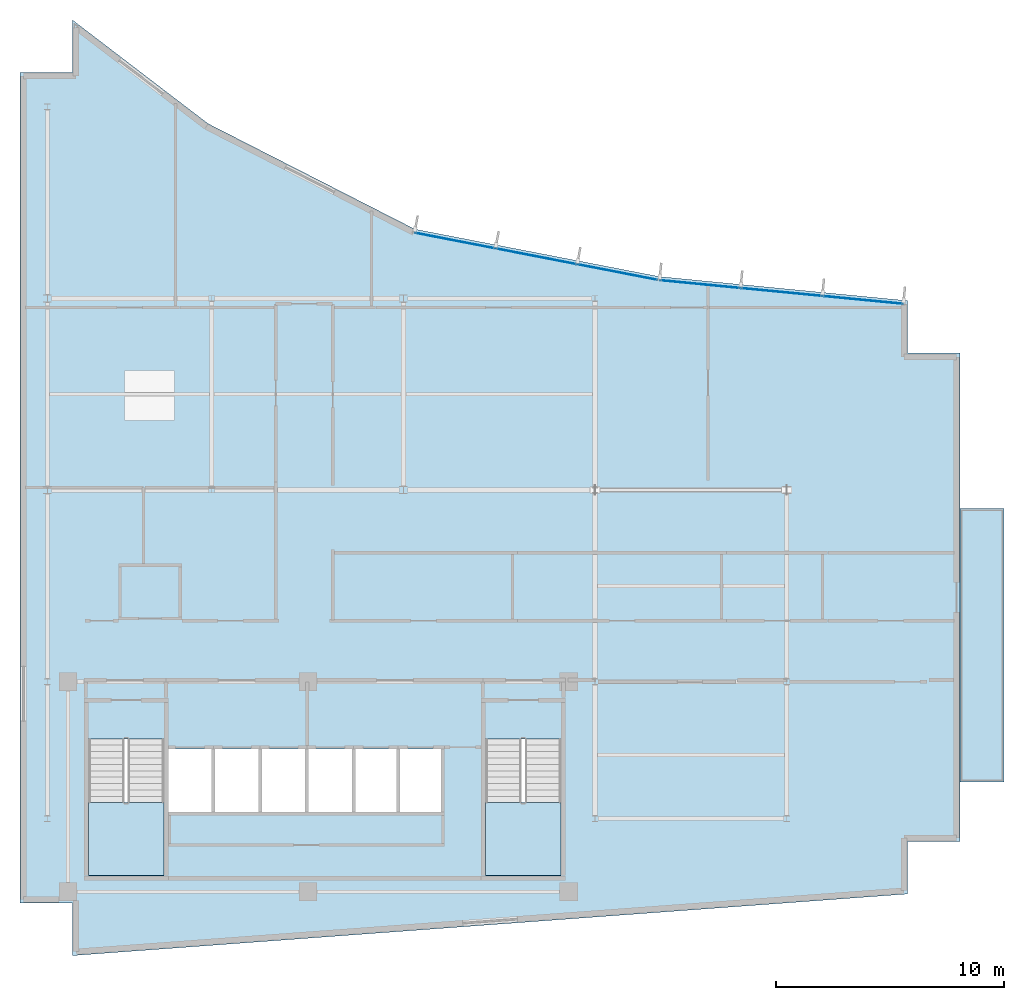
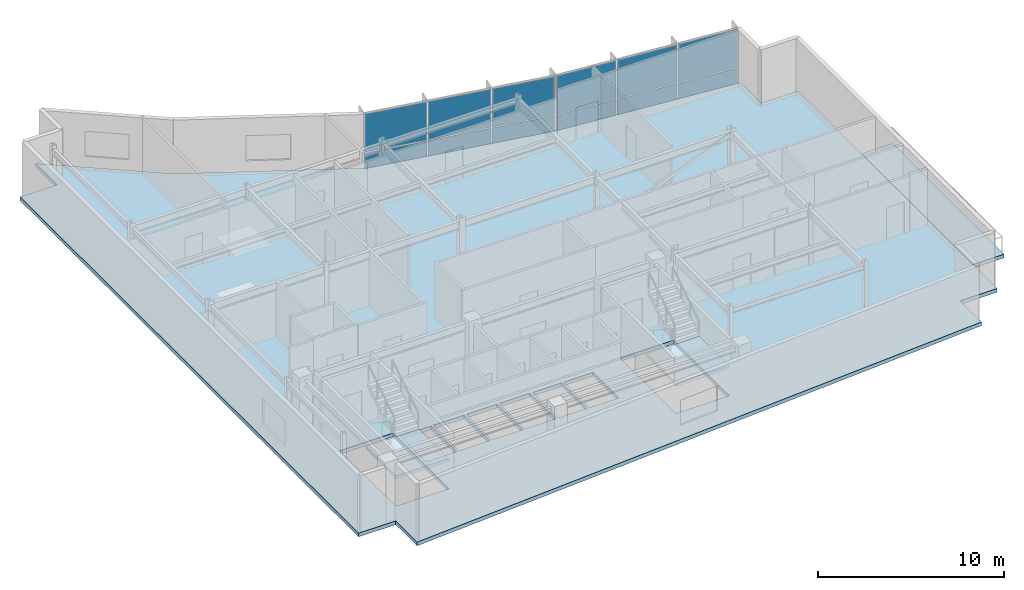
# One storey, part 9 of 16: 12 plates, 4 slabs, 4 elements without a shape of their own.
"""IFC4 building model written with IfcOpenShell, lengths in metres."""

from ifc_helpers import new_model, si_unit, direction, frame, origin, origin_2d, place, context, subcontext, project, spatial, polyline, rectangle, outline, extrude, material, layer, layer_set, type_object, element, aggregate, save


model = new_model("IFC4")

# Units and contexts
model_context = context("Model", 3, precision=1e-05, world=origin(), true_north=direction((0.0, 1.0)))
body_context = subcontext(model_context, "Body", "Model", "MODEL_VIEW")
ifc_project = project(units=[si_unit("LENGTHUNIT", "METRE"), si_unit("AREAUNIT", "SQUARE_METRE"), si_unit("VOLUMEUNIT", "CUBIC_METRE"), si_unit("PLANEANGLEUNIT", "RADIAN"), si_unit("MASSUNIT", "GRAM", prefix="KILO")], contexts=[model_context])

# Site, building, storey
site_placement = place(None, origin())
site = spatial("IfcSite", under=ifc_project, at=site_placement, CompositionType="ELEMENT")
building_placement = place(site_placement, origin())
building = spatial("IfcBuilding", under=site, at=building_placement, Name="Varnakote Quay Hospital", CompositionType="ELEMENT")
storey_placement = place(building_placement, frame((0.0, 0.0, 272.35009765625)))
storey = spatial("IfcBuildingStorey", under=building, at=storey_placement, Name="L67", CompositionType="ELEMENT", Elevation=272.35009765625)

# Curtain wall, plates
ifc_material_1 = material(Name="Anodised aluminium 6063-T6 Bronze", Category="aluminium")
ifc_layer_1 = layer(ifc_material_1, 0.235107421875)
ifc_layer_set_1 = layer_set([ifc_layer_1], Name="Anodised aluminium 6063-T6 Bronze")
curtain_wall_type = type_object("IfcCurtainWallType", Name="CW-SYS-5", PredefinedType="NOTDEFINED", material=ifc_layer_set_1)
curtain_wall_1_placement = place(storey_placement, origin())
curtain_wall_1 = element("IfcCurtainWall", 1, at=curtain_wall_1_placement, inside=storey, type_object=curtain_wall_type, Name="L67 Unitised Bronze Curtain Wall 1", PredefinedType="NOTDEFINED")
ifc_material_2 = material(Name="Double-glazed low-E solar glass", Category="glass")
ifc_layer_2 = layer(ifc_material_2, 0.028076171875)
ifc_layer_set_2 = layer_set([ifc_layer_2], Name="Double-glazed low-E solar glass")
plate_type = type_object("IfcPlateType", Name="CW-PNL-GLZ-28", PredefinedType="CURTAIN_PANEL", material=ifc_layer_set_2)
plate_1_placement = place(storey_placement, frame((36.9326171875, 28.730224609375, 0.06494140625), z_axis=(0.0, 0.0, 1.0), x_axis=(-0.995326295192, 0.096568970683, 0.0)))
plate_1 = element("IfcPlate", 2, at=plate_1_placement, type_object=plate_type, Name="-5-L67-1 panel 1.1", PredefinedType="CURTAIN_PANEL", context=body_context, shape_type="SweptSolid", body=[
    extrude(rectangle(XDim=3.501708984375, YDim=0.028076171875, at=origin_2d()), origin(), (0.0, 0.0, 1.0), 1.00244140625),
])
plate_2_placement = place(storey_placement, frame((36.9326171875, 28.730224609375, 1.13232421875), z_axis=(0.0, 0.0, 1.0), x_axis=(-0.995326295192, 0.096568970683, 0.0)))
plate_2 = element("IfcPlate", 3, at=plate_2_placement, type_object=plate_type, Name="-5-L67-1 panel 1.2", PredefinedType="CURTAIN_PANEL", context=body_context, shape_type="SweptSolid", body=[
    extrude(rectangle(XDim=3.501708984375, YDim=0.028076171875, at=origin_2d()), origin(), (0.0, 0.0, 1.0), 2.512451171875),
])
plate_3_placement = place(storey_placement, frame((33.366455078125, 29.076171875, 0.06494140625), z_axis=(0.0, 0.0, 1.0), x_axis=(-0.995326295192, 0.096568970683, 0.0)))
plate_3 = element("IfcPlate", 4, at=plate_3_placement, type_object=plate_type, Name="-5-L67-1 panel 2.1", PredefinedType="CURTAIN_PANEL", context=body_context, shape_type="SweptSolid", body=[
    extrude(rectangle(XDim=3.5341796875, YDim=0.028076171875, at=origin_2d()), origin(), (0.0, 0.0, 1.0), 1.00244140625),
])
plate_4_placement = place(storey_placement, frame((33.366455078125, 29.076171875, 1.13232421875), z_axis=(0.0, 0.0, 1.0), x_axis=(-0.995326295192, 0.096568970683, 0.0)))
plate_4 = element("IfcPlate", 5, at=plate_4_placement, type_object=plate_type, Name="-5-L67-1 panel 2.2", PredefinedType="CURTAIN_PANEL", context=body_context, shape_type="SweptSolid", body=[
    extrude(rectangle(XDim=3.5341796875, YDim=0.028076171875, at=origin_2d()), origin(), (0.0, 0.0, 1.0), 2.512451171875),
])
plate_5_placement = place(storey_placement, frame((29.80029296875, 29.422119140625, 0.06494140625), z_axis=(0.0, 0.0, 1.0), x_axis=(-0.995326295192, 0.096568970683, 0.0)))
plate_5 = element("IfcPlate", 6, at=plate_5_placement, type_object=plate_type, Name="-5-L67-1 panel 3.1", PredefinedType="CURTAIN_PANEL", context=body_context, shape_type="SweptSolid", body=[
    extrude(rectangle(XDim=3.501708984375, YDim=0.028076171875, at=origin_2d()), origin(), (0.0, 0.0, 1.0), 1.00244140625),
])
plate_6_placement = place(storey_placement, frame((29.80029296875, 29.422119140625, 1.13232421875), z_axis=(0.0, 0.0, 1.0), x_axis=(-0.995326295192, 0.096568970683, 0.0)))
plate_6 = element("IfcPlate", 7, at=plate_6_placement, type_object=plate_type, Name="-5-L67-1 panel 3.2", PredefinedType="CURTAIN_PANEL", context=body_context, shape_type="SweptSolid", body=[
    extrude(rectangle(XDim=3.501708984375, YDim=0.028076171875, at=origin_2d()), origin(), (0.0, 0.0, 1.0), 2.512451171875),
])
aggregate(curtain_wall_1, [plate_1, plate_2, plate_3, plate_4, plate_5, plate_6])

curtain_wall_2_placement = place(storey_placement, origin())
curtain_wall_2 = element("IfcCurtainWall", 8, at=curtain_wall_2_placement, inside=storey, type_object=curtain_wall_type, Name="L67 Unitised Bronze Curtain Wall 2", PredefinedType="NOTDEFINED")
plate_7_placement = place(storey_placement, frame((26.186767578125, 29.947998046875, 0.06494140625), z_axis=(0.0, 0.0, 1.0), x_axis=(-0.981699958418, 0.190434218676, 0.0)))
plate_7 = element("IfcPlate", 9, at=plate_7_placement, type_object=plate_type, Name="-5-L67-2 panel 1.1", PredefinedType="CURTAIN_PANEL", context=body_context, shape_type="SweptSolid", body=[
    extrude(rectangle(XDim=3.5498046875, YDim=0.028076171875, at=origin_2d()), origin(), (0.0, 0.0, 1.0), 1.00244140625),
])
plate_8_placement = place(storey_placement, frame((26.186767578125, 29.947998046875, 1.13232421875), z_axis=(0.0, 0.0, 1.0), x_axis=(-0.981699958418, 0.190434218676, 0.0)))
plate_8 = element("IfcPlate", 10, at=plate_8_placement, type_object=plate_type, Name="-5-L67-2 panel 1.2", PredefinedType="CURTAIN_PANEL", context=body_context, shape_type="SweptSolid", body=[
    extrude(rectangle(XDim=3.5498046875, YDim=0.028076171875, at=origin_2d()), origin(), (0.0, 0.0, 1.0), 2.512451171875),
])
plate_9_placement = place(storey_placement, frame((22.622314453125, 30.639404296875, 0.06494140625), z_axis=(0.0, 0.0, 1.0), x_axis=(-0.981699958418, 0.190434218676, 0.0)))
plate_9 = element("IfcPlate", 11, at=plate_9_placement, type_object=plate_type, Name="-5-L67-2 panel 2.1", PredefinedType="CURTAIN_PANEL", context=body_context, shape_type="SweptSolid", body=[
    extrude(rectangle(XDim=3.582275390625, YDim=0.028076171875, at=origin_2d()), origin(), (0.0, 0.0, 1.0), 1.00244140625),
])
plate_10_placement = place(storey_placement, frame((22.622314453125, 30.639404296875, 1.13232421875), z_axis=(0.0, 0.0, 1.0), x_axis=(-0.981699958418, 0.190434218676, 0.0)))
plate_10 = element("IfcPlate", 12, at=plate_10_placement, type_object=plate_type, Name="-5-L67-2 panel 2.2", PredefinedType="CURTAIN_PANEL", context=body_context, shape_type="SweptSolid", body=[
    extrude(rectangle(XDim=3.582275390625, YDim=0.028076171875, at=origin_2d()), origin(), (0.0, 0.0, 1.0), 2.512451171875),
])
plate_11_placement = place(storey_placement, frame((19.0576171875, 31.330810546875, 0.06494140625), z_axis=(0.0, 0.0, 1.0), x_axis=(-0.981699958418, 0.190434218676, 0.0)))
plate_11 = element("IfcPlate", 13, at=plate_11_placement, type_object=plate_type, Name="-5-L67-2 panel 3.1", PredefinedType="CURTAIN_PANEL", context=body_context, shape_type="SweptSolid", body=[
    extrude(rectangle(XDim=3.5498046875, YDim=0.028076171875, at=origin_2d()), origin(), (0.0, 0.0, 1.0), 1.00244140625),
])
plate_12_placement = place(storey_placement, frame((19.0576171875, 31.330810546875, 1.13232421875), z_axis=(0.0, 0.0, 1.0), x_axis=(-0.981699958418, 0.190434218676, 0.0)))
plate_12 = element("IfcPlate", 14, at=plate_12_placement, type_object=plate_type, Name="-5-L67-2 panel 3.2", PredefinedType="CURTAIN_PANEL", context=body_context, shape_type="SweptSolid", body=[
    extrude(rectangle(XDim=3.5498046875, YDim=0.028076171875, at=origin_2d()), origin(), (0.0, 0.0, 1.0), 2.512451171875),
])
aggregate(curtain_wall_2, [plate_7, plate_8, plate_9, plate_10, plate_11, plate_12])

# Stair, slab
ifc_material_3 = material(Name="Concrete N40 (f'c 40 MPa)", Category="concrete")
stair_type = type_object("IfcStairType", Name="STR-CORE-1580", PredefinedType="HALF_TURN_STAIR", material=ifc_material_3)
stair_1_placement = place(storey_placement, origin())
stair_1 = element("IfcStair", 15, at=stair_1_placement, inside=storey, type_object=stair_type, Name="L67 Fire-Isolated Exit Stair ST-01", PredefinedType="HALF_TURN_STAIR")
ifc_material_4 = material(Name="Concrete N40 (f'c 40 MPa)", Category="concrete")
ifc_layer_3 = layer(ifc_material_4, 0.199951171875)
ifc_layer_set_3 = layer_set([ifc_layer_3], Name="Concrete N40 (f'c 40 MPa)")
slab_type_1 = type_object("IfcSlabType", Name="SLB-STAIR-LND-200", PredefinedType="LANDING", material=ifc_layer_set_3)
slab_1_placement = place(storey_placement, frame((0.0, 0.0, 1.77490234375)))
slab_1 = element("IfcSlab", 16, at=slab_1_placement, type_object=slab_type_1, Name="ST-01 landing 1", PredefinedType="LANDING", context=body_context, shape_type="SweptSolid", body=[
    extrude(outline(polyline([(3.0, 6.699951171875), (3.0, 3.5), (6.300048828125, 3.5), (6.300048828125, 6.699951171875), (3.0, 6.699951171875)])), origin(), (0.0, 0.0, 1.0), 0.199951171875),
])
aggregate(stair_1, [slab_1])

stair_2_placement = place(storey_placement, origin())
stair_2 = element("IfcStair", 17, at=stair_2_placement, inside=storey, type_object=stair_type, Name="L67 Fire-Isolated Exit Stair ST-02", PredefinedType="HALF_TURN_STAIR")
slab_2_placement = place(storey_placement, frame((0.0, 0.0, 1.77490234375)))
slab_2 = element("IfcSlab", 18, at=slab_2_placement, type_object=slab_type_1, Name="ST-02 landing 1", PredefinedType="LANDING", context=body_context, shape_type="SweptSolid", body=[
    extrude(outline(polyline([(20.39990234375, 6.699951171875), (20.39990234375, 3.5), (23.699951171875, 3.5), (23.699951171875, 6.699951171875), (20.39990234375, 6.699951171875)])), origin(), (0.0, 0.0, 1.0), 0.199951171875),
])
aggregate(stair_2, [slab_2])

# Slabs
ifc_material_5 = material(Name="Concrete N50 (f'c 50 MPa)", Category="concrete")
ifc_layer_4 = layer(ifc_material_5, 0.239990234375)
ifc_layer_set_4 = layer_set([ifc_layer_4], Name="Concrete N50 (f'c 50 MPa)")
slab_type_2 = type_object("IfcSlabType", Name="SLB-TERR-200", PredefinedType="FLOOR", material=ifc_layer_set_4)
slab_3_placement = place(storey_placement, frame((0.0, 0.0, -0.239990234375)))
element("IfcSlab", 19, at=slab_3_placement, inside=storey, type_object=slab_type_2, Name="L67 Waterfront Healing Terrace Slab", PredefinedType="FLOOR", context=body_context, shape_type="SweptSolid", body=[
    extrude(outline(polyline([(41.196044921875, 19.60009765625), (41.196044921875, 7.60009765625), (43.1201171875, 7.60009765625), (43.1201171875, 19.60009765625), (41.196044921875, 19.60009765625)])), origin(), (0.0, 0.0, 1.0), 0.239990234375),
])
ifc_material_6 = material(Name="Concrete N50 (f'c 50 MPa)", Category="concrete")
ifc_layer_5 = layer(ifc_material_6, 0.239990234375)
ifc_layer_set_5 = layer_set([ifc_layer_5], Name="Concrete N50 (f'c 50 MPa)")
slab_type_3 = type_object("IfcSlabType", Name="SLB-WARD-200", PredefinedType="FLOOR", material=ifc_layer_set_5)
slab_4_placement = place(storey_placement, frame((0.0, 0.0, -0.239990234375)))
element("IfcSlab", 20, at=slab_4_placement, inside=storey, type_object=slab_type_3, Name="L67 Primary Floor Slab", PredefinedType="FLOOR", context=body_context, shape_type="SweptSolid", body=[
    extrude(outline(polyline([(0.0, 2.300048828125), (2.300048828125, 2.300048828125), (2.300048828125, 0.0), (38.89990234375, 2.699951171875), (38.89990234375, 5.0), (41.199951171875, 5.0), (41.199951171875, 26.39990234375), (38.89990234375, 26.39990234375), (38.89990234375, 28.699951171875), (28.01611328125, 29.756103515625), (17.303955078125, 31.833984375), (8.239990234375, 36.4599609375), (2.300048828125, 41.0), (2.300048828125, 38.699951171875), (0.0, 38.699951171875), (0.0, 2.300048828125)]), holes=[polyline([(3.0, 3.5), (6.300048828125, 3.5), (6.300048828125, 9.49951171875), (3.0, 9.49951171875), (3.0, 3.5)]), polyline([(20.39990234375, 3.5), (23.699951171875, 3.5), (23.699951171875, 9.49951171875), (20.39990234375, 9.49951171875), (20.39990234375, 3.5)]), polyline([(6.5, 6.300048828125), (8.39990234375, 6.300048828125), (8.39990234375, 9.050048828125), (6.5, 9.050048828125), (6.5, 6.300048828125)]), polyline([(8.550048828125, 6.300048828125), (10.449951171875, 6.300048828125), (10.449951171875, 9.050048828125), (8.550048828125, 9.050048828125), (8.550048828125, 6.300048828125)]), polyline([(10.60009765625, 6.300048828125), (12.5, 6.300048828125), (12.5, 9.050048828125), (10.60009765625, 9.050048828125), (10.60009765625, 6.300048828125)]), polyline([(12.64990234375, 6.300048828125), (14.550048828125, 6.300048828125), (14.550048828125, 9.050048828125), (12.64990234375, 9.050048828125), (12.64990234375, 6.300048828125)]), polyline([(14.699951171875, 6.300048828125), (16.5, 6.300048828125), (16.5, 9.050048828125), (14.699951171875, 9.050048828125), (14.699951171875, 6.300048828125)]), polyline([(16.64990234375, 6.300048828125), (18.449951171875, 6.300048828125), (18.449951171875, 9.050048828125), (16.64990234375, 9.050048828125), (16.64990234375, 6.300048828125)])]), origin(), (0.0, 0.0, 1.0), 0.239990234375),
])

save(model, "model.ifc")
